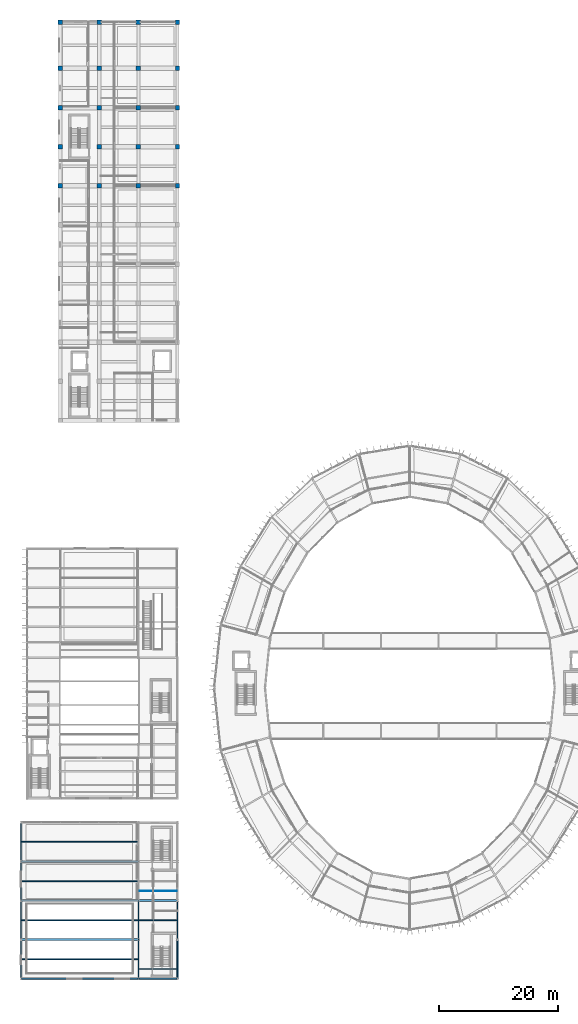
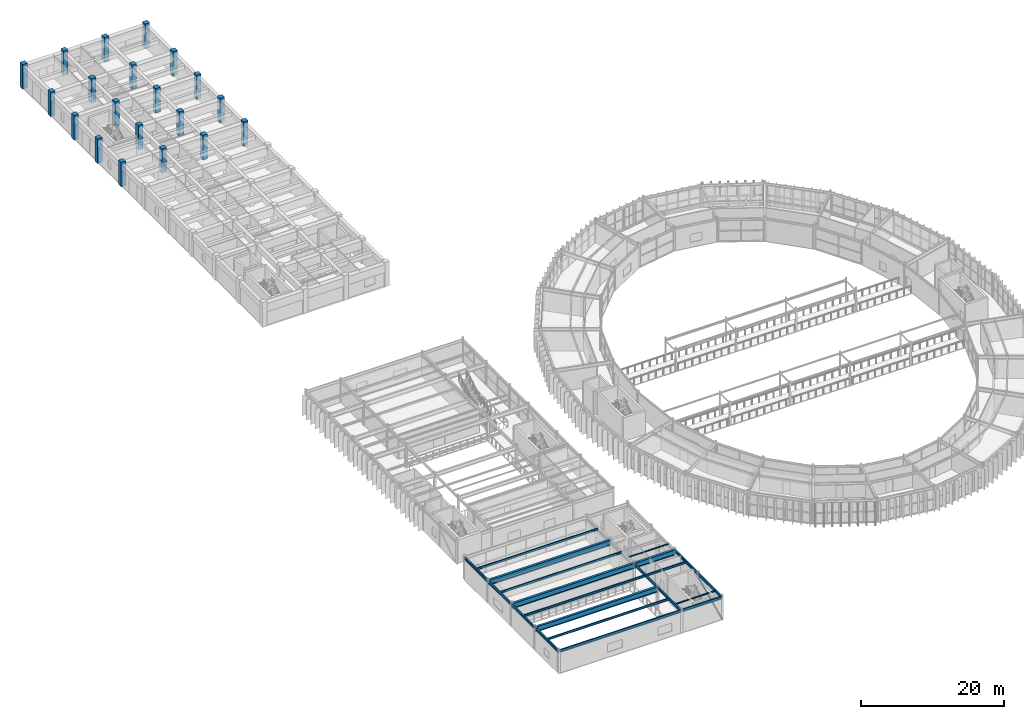
# One storey, part 18 of 148: 21 beams, 20 columns, 1 member.
"""IFC4 building model written with IfcOpenShell, lengths in metres."""

from ifc_helpers import new_model, si_unit, direction, frame, origin, origin_2d, place, context, subcontext, project, spatial, rectangle, hollow_rectangle, hollow_circle, i_section, extrude, material, material_profile, profile_set, type_object, element, save


model = new_model("IFC4")

# Units and contexts
model_context = context("Model", 3, precision=1e-05, world=origin(), true_north=direction((0.0, 1.0)))
body_context = subcontext(model_context, "Body", "Model", "MODEL_VIEW")
ifc_project = project(units=[si_unit("LENGTHUNIT", "METRE"), si_unit("AREAUNIT", "SQUARE_METRE"), si_unit("VOLUMEUNIT", "CUBIC_METRE"), si_unit("PLANEANGLEUNIT", "RADIAN"), si_unit("MASSUNIT", "GRAM", prefix="KILO")], contexts=[model_context])

# Site, building, storey
site_placement = place(None, origin())
site = spatial("IfcSite", under=ifc_project, at=site_placement, CompositionType="ELEMENT")
building_placement = place(site_placement, origin())
building = spatial("IfcBuilding", under=site, at=building_placement, Name="Karori Crest Natural Sciences Institute", CompositionType="ELEMENT")
storey_placement = place(building_placement, frame((0.0, 0.0, 4.89990234375)))
storey = spatial("IfcBuildingStorey", under=building, at=storey_placement, Name="L01", CompositionType="ELEMENT", Elevation=4.89990234375)

# Columns
ifc_material_1 = material(Name="Concrete 50 MPa", Category="concrete")
ifc_material_profile_1 = material_profile(ifc_material_1, rectangle(XDim=0.75, YDim=0.75, at=origin_2d()), Name="RC750x750")
ifc_profile_set_1 = profile_set([ifc_material_profile_1], Name="Concrete 50 MPa")
column_type_1 = type_object("IfcColumnType", Name="CT-18", PredefinedType="COLUMN", material=ifc_profile_set_1)
for number, where, z_axis, x_axis, name in (
    (1, (7.39990234375, 134.60009765625, 0.0), (0.0, 0.0, 1.0), (1.0, 0.0, 0.0), "Column C-0757"),
    (2, (7.39990234375, 141.199951171875, 0.0), (0.0, 0.0, 1.0), (1.0, 0.0, 0.0), "Column C-0764"),
    (3, (7.39990234375, 147.800048828125, 0.0), (0.0, 0.0, 1.0), (1.0, 0.0, 0.0), "Column C-0771"),
    (4, (7.39990234375, 154.39990234375, 0.0), (0.0, 0.0, 1.0), (1.0, 0.0, 0.0), "Column C-0778"),
    (5, (7.39990234375, 162.199951171875, 0.0), (0.0, 0.0, 1.0), (1.0, 0.0, 0.0), "Column C-0783"),
    (6, (14.0, 162.199951171875, 0.0), (0.0, 0.0, 1.0), (1.0, 0.0, 0.0), "Column C-0860"),
    (7, (20.60009765625, 162.199951171875, 0.0), (0.0, 0.0, 1.0), (1.0, 0.0, 0.0), "Column C-0937"),
    (8, (27.199951171875, 134.60009765625, 0.0), (0.0, 0.0, 1.0), (1.0, 0.0, 0.0), "Column C-0988"),
    (9, (27.199951171875, 141.199951171875, 0.0), (0.0, 0.0, 1.0), (1.0, 0.0, 0.0), "Column C-0995"),
    (10, (27.199951171875, 147.800048828125, 0.0), (0.0, 0.0, 1.0), (1.0, 0.0, 0.0), "Column C-1002"),
    (11, (27.199951171875, 154.39990234375, 0.0), (0.0, 0.0, 1.0), (1.0, 0.0, 0.0), "Column C-1009"),
    (12, (27.199951171875, 162.199951171875, 0.0), (0.0, 0.0, 1.0), (1.0, 0.0, 0.0), "Column C-1014"),
):
    element("IfcColumn", number, at=place(storey_placement, frame(where, z_axis=z_axis, x_axis=x_axis)), inside=storey, type_object=column_type_1, Name=name, PredefinedType="COLUMN", context=body_context, shape_type="SweptSolid", body=[
        extrude(rectangle(XDim=0.75, YDim=0.75, at=origin_2d()), origin(), (0.0, 0.0, 1.0), 4.2001953125),
    ])
ifc_material_profile_2 = material_profile(ifc_material_1, rectangle(XDim=0.75, YDim=0.75, at=origin_2d()), Name="RC750x750")
ifc_profile_set_2 = profile_set([ifc_material_profile_2], Name="Concrete 50 MPa")
column_type_2 = type_object("IfcColumnType", Name="CT-18-IL", PredefinedType="COLUMN", material=ifc_profile_set_2)
for number, where, z_axis, x_axis, name in (
    (13, (14.0, 134.60009765625, 0.0), (0.0, 0.0, 1.0), (1.0, 0.0, 0.0), "Column C-0834"),
    (14, (14.0, 141.199951171875, 0.0), (0.0, 0.0, 1.0), (1.0, 0.0, 0.0), "Column C-0841"),
    (15, (14.0, 147.800048828125, 0.0), (0.0, 0.0, 1.0), (1.0, 0.0, 0.0), "Column C-0848"),
    (16, (14.0, 154.39990234375, 0.0), (0.0, 0.0, 1.0), (1.0, 0.0, 0.0), "Column C-0855"),
    (17, (20.60009765625, 134.60009765625, 0.0), (0.0, 0.0, 1.0), (1.0, 0.0, 0.0), "Column C-0911"),
    (18, (20.60009765625, 141.199951171875, 0.0), (0.0, 0.0, 1.0), (1.0, 0.0, 0.0), "Column C-0918"),
    (19, (20.60009765625, 147.800048828125, 0.0), (0.0, 0.0, 1.0), (1.0, 0.0, 0.0), "Column C-0925"),
    (20, (20.60009765625, 154.39990234375, 0.0), (0.0, 0.0, 1.0), (1.0, 0.0, 0.0), "Column C-0932"),
):
    element("IfcColumn", number, at=place(storey_placement, frame(where, z_axis=z_axis, x_axis=x_axis)), inside=storey, type_object=column_type_2, Name=name, PredefinedType="COLUMN", context=body_context, shape_type="SweptSolid", body=[
        extrude(rectangle(XDim=0.75, YDim=0.75, at=origin_2d()), origin(), (0.0, 0.0, 1.0), 4.2001953125),
    ])

# Beams
ifc_material_2 = material(Name="Structural steel AS/NZS 3679.1 Grade 350", Category="steel")
ifc_material_profile_3 = material_profile(ifc_material_2, i_section(OverallWidth=0.35009765625, OverallDepth=0.907958984375, WebThickness=0.01611328125, FlangeThickness=0.028076171875, FilletRadius=0.01611328125, at=origin_2d()), Name="900WB257")
ifc_profile_set_3 = profile_set([ifc_material_profile_3], Name="Structural steel AS/NZS 3679.1 Grade 350")
beam_type_1 = type_object("IfcBeamType", Name="BT-01", PredefinedType="BEAM", material=ifc_profile_set_3)
for number, where, z_axis, x_axis, name in (
    (21, (0.800048828125, 7.39990234375, 3.466064453125), (1.0, 0.0, 0.0), (0.0, 1.0, 0.0), "Beam B-0816"),
    (22, (0.800048828125, 14.0, 3.466064453125), (1.0, 0.0, 0.0), (0.0, 1.0, 0.0), "Beam B-0817"),
):
    element("IfcBeam", number, at=place(storey_placement, frame(where, z_axis=z_axis, x_axis=x_axis)), inside=storey, type_object=beam_type_1, Name=name, PredefinedType="BEAM", context=body_context, shape_type="SweptSolid", body=[
        extrude(i_section(OverallWidth=0.35009765625, OverallDepth=0.907958984375, WebThickness=0.01611328125, FlangeThickness=0.028076171875, FilletRadius=0.01611328125, at=origin_2d()), origin(), (0.0, 0.0, 1.0), 19.800048828125),
    ])
beam_1_placement = place(storey_placement, frame((20.60009765625, 14.0, 3.466064453125), z_axis=(1.0, 0.0, 0.0), x_axis=(0.0, 1.0, 0.0)))
element("IfcBeam", 23, at=beam_1_placement, inside=storey, type_object=beam_type_1, Name="Beam B-0818", PredefinedType="BEAM", context=body_context, shape_type="SweptSolid", body=[
    extrude(i_section(OverallWidth=0.35009765625, OverallDepth=0.907958984375, WebThickness=0.01611328125, FlangeThickness=0.028076171875, FilletRadius=0.01611328125, at=origin_2d()), origin(), (0.0, 0.0, 1.0), 6.599853515625),
])
beam_2_placement = place(storey_placement, frame((0.800048828125, 20.60009765625, 3.466064453125), z_axis=(1.0, 0.0, 0.0), x_axis=(0.0, 1.0, 0.0)))
element("IfcBeam", 24, at=beam_2_placement, inside=storey, type_object=beam_type_1, Name="Beam B-0819", PredefinedType="BEAM", context=body_context, shape_type="SweptSolid", body=[
    extrude(i_section(OverallWidth=0.35009765625, OverallDepth=0.907958984375, WebThickness=0.01611328125, FlangeThickness=0.028076171875, FilletRadius=0.01611328125, at=origin_2d()), origin(), (0.0, 0.0, 1.0), 19.800048828125),
])
ifc_material_profile_4 = material_profile(ifc_material_2, i_section(OverallWidth=0.19091796875, OverallDepth=0.4599609375, WebThickness=0.010009765625, FlangeThickness=0.01611328125, FilletRadius=0.010986328125, at=origin_2d()), Name="460UB82.1")
ifc_profile_set_4 = profile_set([ifc_material_profile_4], Name="Structural steel AS/NZS 3679.1 Grade 350")
beam_type_2 = type_object("IfcBeamType", Name="BT-06", PredefinedType="BEAM", material=ifc_profile_set_4)
beam_3_placement = place(storey_placement, frame((20.60009765625, 0.800048828125, 3.690185546875), z_axis=(0.0, 1.0, 0.0), x_axis=(-1.0, 0.0, 0.0)))
element("IfcBeam", 25, at=beam_3_placement, inside=storey, type_object=beam_type_2, Name="Beam B-0827", PredefinedType="BEAM", context=body_context, shape_type="SweptSolid", body=[
    extrude(i_section(OverallWidth=0.19091796875, OverallDepth=0.4599609375, WebThickness=0.010009765625, FlangeThickness=0.01611328125, FilletRadius=0.010986328125, at=origin_2d()), origin(), (0.0, 0.0, 1.0), 6.599853515625),
])
beam_4_placement = place(storey_placement, frame((20.60009765625, 7.39990234375, 3.690185546875), z_axis=(0.0, 1.0, 0.0), x_axis=(-1.0, 0.0, 0.0)))
element("IfcBeam", 26, at=beam_4_placement, inside=storey, type_object=beam_type_2, Name="Beam B-0828", PredefinedType="BEAM", context=body_context, shape_type="SweptSolid", body=[
    extrude(i_section(OverallWidth=0.19091796875, OverallDepth=0.4599609375, WebThickness=0.010009765625, FlangeThickness=0.01611328125, FilletRadius=0.010986328125, at=origin_2d()), origin(), (0.0, 0.0, 1.0), 6.60009765625),
])
ifc_material_profile_5 = material_profile(ifc_material_2, i_section(OverallWidth=0.19091796875, OverallDepth=0.4599609375, WebThickness=0.010009765625, FlangeThickness=0.01611328125, FilletRadius=0.010986328125, at=origin_2d()), Name="460UB82.1")
ifc_profile_set_5 = profile_set([ifc_material_profile_5], Name="Structural steel AS/NZS 3679.1 Grade 350")
beam_type_3 = type_object("IfcBeamType", Name="BT-06-EL", PredefinedType="BEAM", material=ifc_profile_set_5)
beam_5_placement = place(storey_placement, frame((0.800048828125, 0.800048828125, 3.690185546875), z_axis=(0.0, 1.0, 0.0), x_axis=(-1.0, 0.0, 0.0)))
element("IfcBeam", 27, at=beam_5_placement, inside=storey, type_object=beam_type_3, Name="Beam B-0823", PredefinedType="BEAM", context=body_context, shape_type="SweptSolid", body=[
    extrude(i_section(OverallWidth=0.19091796875, OverallDepth=0.4599609375, WebThickness=0.010009765625, FlangeThickness=0.01611328125, FilletRadius=0.010986328125, at=origin_2d()), origin(), (0.0, 0.0, 1.0), 6.599853515625),
])
for number, where, z_axis, x_axis, name in (
    (28, (0.800048828125, 7.39990234375, 3.690185546875), (0.0, 1.0, 0.0), (-1.0, 0.0, 0.0), "Beam B-0824"),
    (29, (0.800048828125, 14.0, 3.690185546875), (0.0, 1.0, 0.0), (-1.0, 0.0, 0.0), "Beam B-0825"),
):
    element("IfcBeam", number, at=place(storey_placement, frame(where, z_axis=z_axis, x_axis=x_axis)), inside=storey, type_object=beam_type_3, Name=name, PredefinedType="BEAM", context=body_context, shape_type="SweptSolid", body=[
        extrude(i_section(OverallWidth=0.19091796875, OverallDepth=0.4599609375, WebThickness=0.010009765625, FlangeThickness=0.01611328125, FilletRadius=0.010986328125, at=origin_2d()), origin(), (0.0, 0.0, 1.0), 6.60009765625),
    ])
for number, where, z_axis, x_axis, name in (
    (30, (0.800048828125, 20.60009765625, 3.690185546875), (0.0, 1.0, 0.0), (-1.0, 0.0, 0.0), "Beam B-0826"),
    (31, (27.199951171875, 0.800048828125, 3.690185546875), (0.0, 1.0, 0.0), (-1.0, 0.0, 0.0), "Beam B-0831"),
):
    element("IfcBeam", number, at=place(storey_placement, frame(where, z_axis=z_axis, x_axis=x_axis)), inside=storey, type_object=beam_type_3, Name=name, PredefinedType="BEAM", context=body_context, shape_type="SweptSolid", body=[
        extrude(i_section(OverallWidth=0.19091796875, OverallDepth=0.4599609375, WebThickness=0.010009765625, FlangeThickness=0.01611328125, FilletRadius=0.010986328125, at=origin_2d()), origin(), (0.0, 0.0, 1.0), 6.599853515625),
    ])
beam_6_placement = place(storey_placement, frame((27.199951171875, 7.39990234375, 3.690185546875), z_axis=(0.0, 1.0, 0.0), x_axis=(-1.0, 0.0, 0.0)))
element("IfcBeam", 32, at=beam_6_placement, inside=storey, type_object=beam_type_3, Name="Beam B-0832", PredefinedType="BEAM", context=body_context, shape_type="SweptSolid", body=[
    extrude(i_section(OverallWidth=0.19091796875, OverallDepth=0.4599609375, WebThickness=0.010009765625, FlangeThickness=0.01611328125, FilletRadius=0.010986328125, at=origin_2d()), origin(), (0.0, 0.0, 1.0), 6.60009765625),
])
ifc_material_profile_6 = material_profile(ifc_material_2, i_section(OverallWidth=0.172119140625, OverallDepth=0.35888671875, WebThickness=0.008056640625, FlangeThickness=0.012939453125, FilletRadius=0.010986328125, at=origin_2d()), Name="360UB56.7")
ifc_profile_set_6 = profile_set([ifc_material_profile_6], Name="Structural steel AS/NZS 3679.1 Grade 350")
beam_type_4 = type_object("IfcBeamType", Name="BT-08", PredefinedType="BEAM", material=ifc_profile_set_6)
for number, where, z_axis, x_axis, name in (
    (33, (0.8955078125, 4.10009765625, 3.740478515625), (1.0, 0.0, 0.0), (0.0, 1.0, 0.0), "Beam B-0835"),
    (34, (0.8955078125, 10.699951171875, 3.740478515625), (1.0, 0.0, 0.0), (0.0, 1.0, 0.0), "Beam B-0836"),
    (35, (0.8955078125, 17.300048828125, 3.740478515625), (1.0, 0.0, 0.0), (0.0, 1.0, 0.0), "Beam B-0837"),
    (36, (0.8955078125, 23.89990234375, 3.740478515625), (1.0, 0.0, 0.0), (0.0, 1.0, 0.0), "Beam B-0838"),
):
    element("IfcBeam", number, at=place(storey_placement, frame(where, z_axis=z_axis, x_axis=x_axis)), inside=storey, type_object=beam_type_4, Name=name, PredefinedType="BEAM", context=body_context, shape_type="SweptSolid", body=[
        extrude(i_section(OverallWidth=0.172119140625, OverallDepth=0.35888671875, WebThickness=0.008056640625, FlangeThickness=0.012939453125, FilletRadius=0.010986328125, at=origin_2d()), origin(), (0.0, 0.0, 1.0), 19.60888671875),
    ])
beam_7_placement = place(storey_placement, frame((20.695556640625, 10.699951171875, 3.740478515625), z_axis=(1.0, 0.0, 0.0), x_axis=(0.0, 1.0, 0.0)))
element("IfcBeam", 37, at=beam_7_placement, inside=storey, type_object=beam_type_4, Name="Beam B-0840", PredefinedType="BEAM", context=body_context, shape_type="SweptSolid", body=[
    extrude(i_section(OverallWidth=0.172119140625, OverallDepth=0.35888671875, WebThickness=0.008056640625, FlangeThickness=0.012939453125, FilletRadius=0.010986328125, at=origin_2d()), origin(), (0.0, 0.0, 1.0), 6.408935546875),
])
ifc_material_3 = material(Name="Hollow structural steel AS/NZS 1163 Grade C350", Category="steel")
ifc_material_profile_7 = material_profile(ifc_material_3, hollow_rectangle(XDim=0.199951171875, YDim=0.39990234375, WallThickness=0.012451171875, at=origin_2d()), Name="RHS400x200x12.5")
ifc_profile_set_7 = profile_set([ifc_material_profile_7], Name="Hollow structural steel AS/NZS 1163 Grade C350")
beam_type_5 = type_object("IfcBeamType", Name="BT-14", PredefinedType="SPANDREL", material=ifc_profile_set_7)
beam_8_placement = place(storey_placement, frame((0.800048828125, 0.800048828125, 3.72021484375), z_axis=(1.0, 0.0, 0.0), x_axis=(0.0, 1.0, 0.0)))
element("IfcBeam", 38, at=beam_8_placement, inside=storey, type_object=beam_type_5, Name="Beam B-0814", PredefinedType="SPANDREL", context=body_context, shape_type="SweptSolid", body=[
    extrude(hollow_rectangle(XDim=0.199951171875, YDim=0.39990234375, WallThickness=0.012451171875, at=origin_2d()), origin(), (0.0, 0.0, 1.0), 19.800048828125),
])
beam_9_placement = place(storey_placement, frame((20.60009765625, 0.800048828125, 3.72021484375), z_axis=(1.0, 0.0, 0.0), x_axis=(0.0, 1.0, 0.0)))
element("IfcBeam", 39, at=beam_9_placement, inside=storey, type_object=beam_type_5, Name="Beam B-0815", PredefinedType="SPANDREL", context=body_context, shape_type="SweptSolid", body=[
    extrude(hollow_rectangle(XDim=0.199951171875, YDim=0.39990234375, WallThickness=0.012451171875, at=origin_2d()), origin(), (0.0, 0.0, 1.0), 6.599853515625),
])
ifc_material_profile_8 = material_profile(ifc_material_2, i_section(OverallWidth=0.090087890625, OverallDepth=0.175048828125, WebThickness=0.0048828125, FlangeThickness=0.008056640625, FilletRadius=0.009033203125, at=origin_2d()), Name="180UB18.1")
ifc_profile_set_8 = profile_set([ifc_material_profile_8], Name="Structural steel AS/NZS 3679.1 Grade 350")
beam_type_6 = type_object("IfcBeamType", Name="BT-31", PredefinedType="LINTEL", material=ifc_profile_set_8)
beam_10_placement = place(storey_placement, frame((20.695556640625, 2.449951171875, 3.83251953125), z_axis=(1.0, 0.0, 0.0), x_axis=(0.0, 1.0, 0.0)))
element("IfcBeam", 40, at=beam_10_placement, inside=storey, type_object=beam_type_6, Name="Beam B-0839", PredefinedType="LINTEL", context=body_context, shape_type="SweptSolid", body=[
    extrude(i_section(OverallWidth=0.090087890625, OverallDepth=0.175048828125, WebThickness=0.0048828125, FlangeThickness=0.008056640625, FilletRadius=0.009033203125, at=origin_2d()), origin(), (0.0, 0.0, 1.0), 6.408935546875),
])
ifc_material_profile_9 = material_profile(ifc_material_2, i_section(OverallWidth=0.074951171875, OverallDepth=0.14990234375, WebThickness=0.0048828125, FlangeThickness=0.007080078125, FilletRadius=0.008056640625, at=origin_2d()), Name="150UB14.0")
ifc_profile_set_9 = profile_set([ifc_material_profile_9], Name="Structural steel AS/NZS 3679.1 Grade 350")
beam_type_7 = type_object("IfcBeamType", Name="BT-32", PredefinedType="LINTEL", material=ifc_profile_set_9)
beam_11_placement = place(storey_placement, frame((20.695556640625, 15.64990234375, 3.84521484375), z_axis=(1.0, 0.0, 0.0), x_axis=(0.0, 1.0, 0.0)))
element("IfcBeam", 41, at=beam_11_placement, inside=storey, type_object=beam_type_7, Name="Beam B-0842", PredefinedType="LINTEL", context=body_context, shape_type="SweptSolid", body=[
    extrude(i_section(OverallWidth=0.074951171875, OverallDepth=0.14990234375, WebThickness=0.0048828125, FlangeThickness=0.007080078125, FilletRadius=0.008056640625, at=origin_2d()), origin(), (0.0, 0.0, 1.0), 6.408935546875),
])

# Member
ifc_material_profile_10 = material_profile(ifc_material_3, hollow_circle(Radius=0.136474609375, WallThickness=0.00927734375, at=origin_2d()), Name="CHS273.0x9.3")
ifc_profile_set_10 = profile_set([ifc_material_profile_10], Name="Hollow structural steel AS/NZS 1163 Grade C350")
member_type = type_object("IfcMemberType", Name="MT-01-EL", PredefinedType="BRACE", material=ifc_profile_set_10)
member_placement = place(storey_placement, frame((27.199951171875, 0.800048828125, 0.010009765625), z_axis=(0.0, 0.909728074664, 0.415204564244), x_axis=(-1.0, 0.0, 0.0)))
element("IfcMember", 42, at=member_placement, inside=storey, type_object=member_type, Name="Diagonal Brace M-0245", PredefinedType="BRACE", context=body_context, shape_type="SweptSolid", body=[
    extrude(hollow_circle(Radius=0.136474609375, WallThickness=0.00927734375, at=origin_2d()), origin(), (0.0, 0.0, 1.0), 7.254638671875),
])

save(model, "model.ifc")
